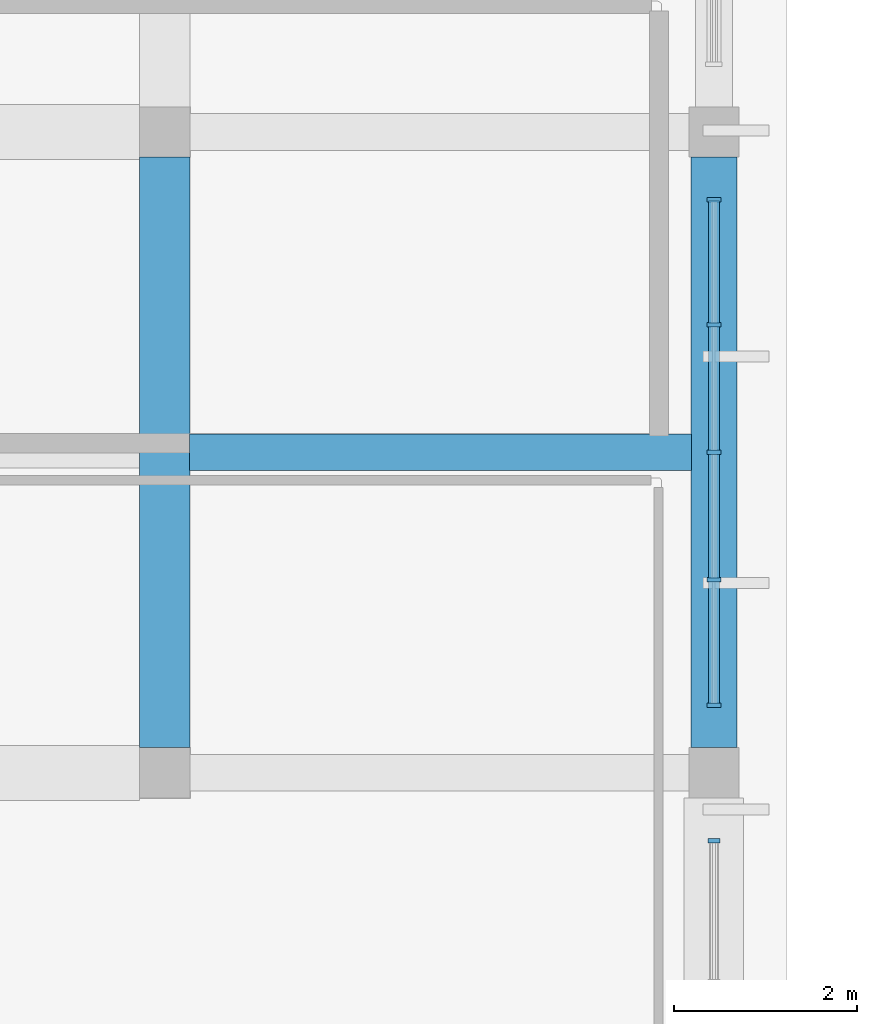
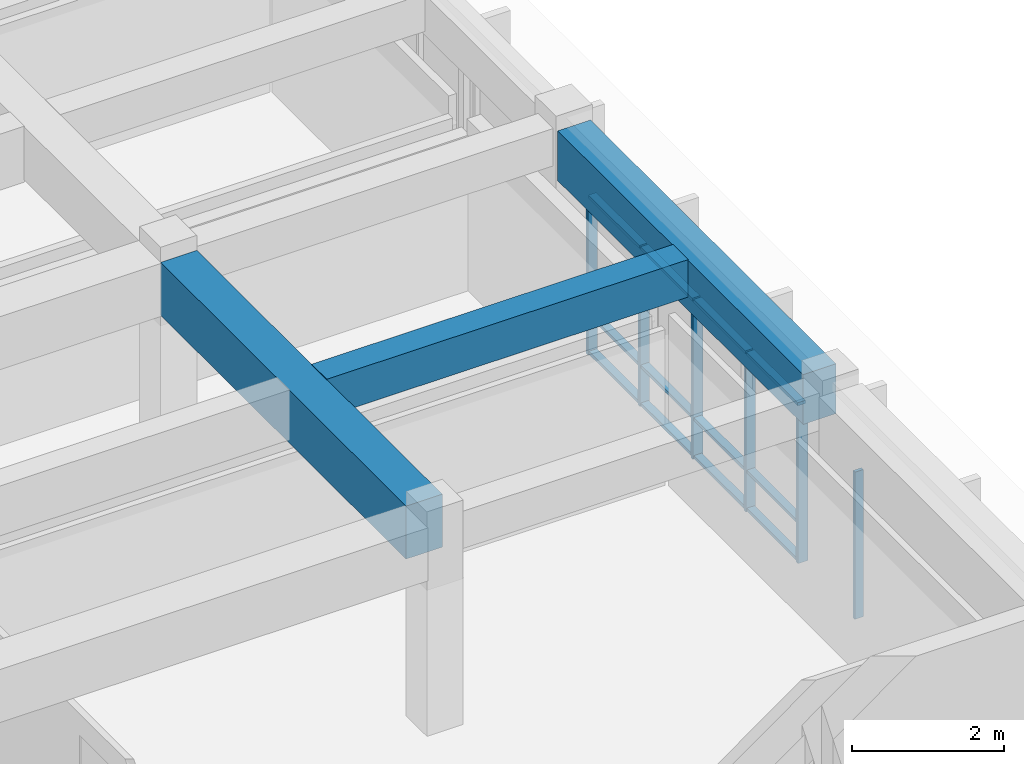
# One storey, part 11 of 23: 18 members, 3 beams, 2 elements without a shape of their own.
"""IFC4 building model written with IfcOpenShell, lengths in metres."""

from ifc_helpers import new_model, si_unit, direction, frame, origin, origin_2d, place, context, subcontext, project, spatial, rectangle, extrude, material, material_profile, profile_set, type_object, element, aggregate, save


model = new_model("IFC4")

# Units and contexts
model_context = context("Model", 3, precision=1e-05, world=origin(), true_north=direction((0.0, 1.0)))
body_context = subcontext(model_context, "Body", "Model", "MODEL_VIEW")
ifc_project = project(units=[si_unit("LENGTHUNIT", "METRE"), si_unit("AREAUNIT", "SQUARE_METRE"), si_unit("VOLUMEUNIT", "CUBIC_METRE"), si_unit("PLANEANGLEUNIT", "RADIAN"), si_unit("MASSUNIT", "GRAM", prefix="KILO")], contexts=[model_context])

# Site, building, storey
site_placement = place(None, origin())
site = spatial("IfcSite", under=ifc_project, at=site_placement, CompositionType="ELEMENT")
building_placement = place(site_placement, origin())
building = spatial("IfcBuilding", under=site, at=building_placement, Name="Larkveld Mobility Hub", CompositionType="ELEMENT")
storey_placement = place(building_placement, frame((0.0, 0.0, 19.199951171875)))
storey = spatial("IfcBuildingStorey", under=building, at=storey_placement, Name="L05", CompositionType="ELEMENT", Elevation=19.199951171875)

# Beams
ifc_material_1 = material(Name="Concrete C40/50", Category="concrete")
ifc_material_profile_1 = material_profile(ifc_material_1, rectangle(XDim=0.39990234375, YDim=0.60009765625, at=origin_2d()), Name="RC BM 400x600")
ifc_profile_set_1 = profile_set([ifc_material_profile_1], Name="Concrete C40/50")
beam_type_1 = type_object("IfcBeamType", Name="BM-RC4060", PredefinedType="BEAM", material=ifc_profile_set_1)
beam_1_placement = place(storey_placement, frame((146.27001953125, 73.5, 3.070068359375), z_axis=(1.0, 0.0, 0.0), x_axis=(0.0, 1.0, 0.0)))
element("IfcBeam", 1, at=beam_1_placement, inside=storey, type_object=beam_type_1, Name="Concourse Spine Joist L05-1156", PredefinedType="BEAM", context=body_context, shape_type="SweptSolid", body=[
    extrude(rectangle(XDim=0.39990234375, YDim=0.60009765625, at=origin_2d()), origin(), (0.0, 0.0, 1.0), 5.48486328125),
])
ifc_material_profile_2 = material_profile(ifc_material_1, rectangle(XDim=0.5, YDim=0.800048828125, at=origin_2d()), Name="RC BM 500x800")
ifc_profile_set_2 = profile_set([ifc_material_profile_2], Name="Concrete C40/50")
beam_type_2 = type_object("IfcBeamType", Name="BM-RC5080", PredefinedType="BEAM", material=ifc_profile_set_2)
beam_2_placement = place(storey_placement, frame((152.0, 70.27490234375, 2.9599609375), z_axis=(0.0, 1.0, 0.0), x_axis=(-1.0, 0.0, 0.0)))
element("IfcBeam", 2, at=beam_2_placement, inside=storey, type_object=beam_type_2, Name="Primary N-S Girder L05-0985", PredefinedType="BEAM", context=body_context, shape_type="SweptSolid", body=[
    extrude(rectangle(XDim=0.5, YDim=0.800048828125, at=origin_2d()), origin(), (0.0, 0.0, 1.0), 6.4501953125),
])
ifc_material_profile_3 = material_profile(ifc_material_1, rectangle(XDim=0.550048828125, YDim=0.85009765625, at=origin_2d()), Name="RC BM 550x850")
ifc_profile_set_3 = profile_set([ifc_material_profile_3], Name="Concrete C40/50")
beam_type_3 = type_object("IfcBeamType", Name="BM-RC5585", PredefinedType="BEAM", material=ifc_profile_set_3)
beam_3_placement = place(storey_placement, frame((146.0, 70.27490234375, 2.93505859375), z_axis=(0.0, 1.0, 0.0), x_axis=(-1.0, 0.0, 0.0)))
element("IfcBeam", 3, at=beam_3_placement, inside=storey, type_object=beam_type_3, Name="Primary N-S Girder L05-0977", PredefinedType="BEAM", context=body_context, shape_type="SweptSolid", body=[
    extrude(rectangle(XDim=0.550048828125, YDim=0.85009765625, at=origin_2d()), origin(), (0.0, 0.0, 1.0), 6.4501953125),
])

# Curtain wall, members
ifc_material_2 = material(Name="Anodised aluminium 6063-T6", Category="aluminium")
curtain_wall_type_1 = type_object("IfcCurtainWallType", Name="CW-SYS-01", PredefinedType="NOTDEFINED", material=ifc_material_2)
curtain_wall_1_placement = place(storey_placement, origin())
curtain_wall_1 = element("IfcCurtainWall", 4, at=curtain_wall_1_placement, inside=storey, type_object=curtain_wall_type_1, Name="Upper Mobility and Sports East Glazing L05 CW-169", PredefinedType="NOTDEFINED")
ifc_material_profile_4 = material_profile(ifc_material_2, rectangle(XDim=0.050048828125, YDim=0.14990234375, at=origin_2d()), Name="ALU MULL 50x150")
ifc_profile_set_4 = profile_set([ifc_material_profile_4], Name="Anodised aluminium 6063-T6")
member_type_1 = type_object("IfcMemberType", Name="CW-MUL-01", PredefinedType="MULLION", material=ifc_profile_set_4)
member_1_placement = place(storey_placement, frame((152.0, 70.739990234375, -0.001953125), z_axis=(0.0, 0.0, 1.0), x_axis=(0.0, 1.0, 0.0)))
member_1 = element("IfcMember", 5, at=member_1_placement, type_object=member_type_1, Name="CW01 mullion 1", PredefinedType="MULLION", context=body_context, shape_type="SweptSolid", body=[
    extrude(rectangle(XDim=0.050048828125, YDim=0.14990234375, at=origin_2d()), origin(), (0.0, 0.0, 1.0), 2.56201171875),
])
member_2_placement = place(storey_placement, frame((152.0, 72.10791015625, -0.001953125), z_axis=(0.0, 0.0, 1.0), x_axis=(0.0, 1.0, 0.0)))
member_2 = element("IfcMember", 6, at=member_2_placement, type_object=member_type_1, Name="CW01 mullion 2", PredefinedType="MULLION", context=body_context, shape_type="SweptSolid", body=[
    extrude(rectangle(XDim=0.050048828125, YDim=0.14990234375, at=origin_2d()), origin(), (0.0, 0.0, 1.0), 2.56201171875),
])
member_3_placement = place(storey_placement, frame((152.0, 73.5, -0.001953125), z_axis=(0.0, 0.0, 1.0), x_axis=(0.0, 1.0, 0.0)))
member_3 = element("IfcMember", 7, at=member_3_placement, type_object=member_type_1, Name="CW01 mullion 3", PredefinedType="MULLION", context=body_context, shape_type="SweptSolid", body=[
    extrude(rectangle(XDim=0.050048828125, YDim=0.14990234375, at=origin_2d()), origin(), (0.0, 0.0, 1.0), 2.56201171875),
])
member_4_placement = place(storey_placement, frame((152.0, 74.89306640625, -0.001953125), z_axis=(0.0, 0.0, 1.0), x_axis=(0.0, 1.0, 0.0)))
member_4 = element("IfcMember", 8, at=member_4_placement, type_object=member_type_1, Name="CW01 mullion 4", PredefinedType="MULLION", context=body_context, shape_type="SweptSolid", body=[
    extrude(rectangle(XDim=0.050048828125, YDim=0.14990234375, at=origin_2d()), origin(), (0.0, 0.0, 1.0), 2.56201171875),
])
member_5_placement = place(storey_placement, frame((152.0, 76.260009765625, -0.001953125), z_axis=(0.0, 0.0, 1.0), x_axis=(0.0, 1.0, 0.0)))
member_5 = element("IfcMember", 9, at=member_5_placement, type_object=member_type_1, Name="CW01 mullion 5", PredefinedType="MULLION", context=body_context, shape_type="SweptSolid", body=[
    extrude(rectangle(XDim=0.050048828125, YDim=0.14990234375, at=origin_2d()), origin(), (0.0, 0.0, 1.0), 2.56201171875),
])

# Curtain wall, member
curtain_wall_type_2 = type_object("IfcCurtainWallType", Name="CW-SYS-12", PredefinedType="NOTDEFINED", material=ifc_material_2)
curtain_wall_2_placement = place(storey_placement, origin())
curtain_wall_2 = element("IfcCurtainWall", 10, at=curtain_wall_2_placement, inside=storey, type_object=curtain_wall_type_2, Name="Upper Mobility and Sports East Glazing L05 CW-168", PredefinedType="NOTDEFINED")
ifc_material_profile_5 = material_profile(ifc_material_2, rectangle(XDim=0.050048828125, YDim=0.1298828125, at=origin_2d()), Name="ALU MULL 50x130")
ifc_profile_set_5 = profile_set([ifc_material_profile_5], Name="Anodised aluminium 6063-T6")
member_type_2 = type_object("IfcMemberType", Name="CW-MUL-04", PredefinedType="MULLION", material=ifc_profile_set_5)
member_6_placement = place(storey_placement, frame((152.0, 69.260009765625, -0.001953125), z_axis=(0.0, 0.0, 1.0), x_axis=(0.0, 1.0, 0.0)))
member_6 = element("IfcMember", 11, at=member_6_placement, type_object=member_type_2, Name="CW12 mullion 4", PredefinedType="MULLION", context=body_context, shape_type="SweptSolid", body=[
    extrude(rectangle(XDim=0.050048828125, YDim=0.1298828125, at=origin_2d()), origin(), (0.0, 0.0, 1.0), 2.362060546875),
])
aggregate(curtain_wall_2, [member_6])

# Member
ifc_material_profile_6 = material_profile(ifc_material_2, rectangle(XDim=0.1201171875, YDim=0.050048828125, at=origin_2d()), Name="ALU TRAN 50x120")
ifc_profile_set_6 = profile_set([ifc_material_profile_6], Name="Anodised aluminium 6063-T6")
member_type_3 = type_object("IfcMemberType", Name="CW-TRN-01", PredefinedType="USERDEFINED", material=ifc_profile_set_6)
member_7_placement = place(storey_placement, frame((152.0, 70.75, 0.030029296875), z_axis=(0.0, 1.0, 0.0), x_axis=(-1.0, 0.0, 0.0)))
member_7 = element("IfcMember", 12, at=member_7_placement, type_object=member_type_3, Name="CW01 transom 1.1", ObjectType="TRANSOM", PredefinedType="USERDEFINED", context=body_context, shape_type="SweptSolid", body=[
    extrude(rectangle(XDim=0.1201171875, YDim=0.050048828125, at=origin_2d()), origin(), (0.0, 0.0, 1.0), 1.343017578125),
])

member_8_placement = place(storey_placement, frame((152.0, 70.75, 0.64013671875), z_axis=(0.0, 1.0, 0.0), x_axis=(-1.0, 0.0, 0.0)))
member_8 = element("IfcMember", 13, at=member_8_placement, type_object=member_type_3, Name="CW01 transom 1.2", ObjectType="TRANSOM", PredefinedType="USERDEFINED", context=body_context, shape_type="SweptSolid", body=[
    extrude(rectangle(XDim=0.1201171875, YDim=0.050048828125, at=origin_2d()), origin(), (0.0, 0.0, 1.0), 1.343017578125),
])

member_9_placement = place(storey_placement, frame((152.0, 70.75, 2.528076171875), z_axis=(0.0, 1.0, 0.0), x_axis=(-1.0, 0.0, 0.0)))
member_9 = element("IfcMember", 14, at=member_9_placement, type_object=member_type_3, Name="CW01 transom 1.3", ObjectType="TRANSOM", PredefinedType="USERDEFINED", context=body_context, shape_type="SweptSolid", body=[
    extrude(rectangle(XDim=0.1201171875, YDim=0.050048828125, at=origin_2d()), origin(), (0.0, 0.0, 1.0), 1.343017578125),
])

member_10_placement = place(storey_placement, frame((152.0, 72.123046875, 0.030029296875), z_axis=(0.0, 1.0, 0.0), x_axis=(-1.0, 0.0, 0.0)))
member_10 = element("IfcMember", 15, at=member_10_placement, type_object=member_type_3, Name="CW01 transom 2.1", ObjectType="TRANSOM", PredefinedType="USERDEFINED", context=body_context, shape_type="SweptSolid", body=[
    extrude(rectangle(XDim=0.1201171875, YDim=0.050048828125, at=origin_2d()), origin(), (0.0, 0.0, 1.0), 1.362060546875),
])

member_11_placement = place(storey_placement, frame((152.0, 72.123046875, 0.64013671875), z_axis=(0.0, 1.0, 0.0), x_axis=(-1.0, 0.0, 0.0)))
member_11 = element("IfcMember", 16, at=member_11_placement, type_object=member_type_3, Name="CW01 transom 2.2", ObjectType="TRANSOM", PredefinedType="USERDEFINED", context=body_context, shape_type="SweptSolid", body=[
    extrude(rectangle(XDim=0.1201171875, YDim=0.050048828125, at=origin_2d()), origin(), (0.0, 0.0, 1.0), 1.362060546875),
])

member_12_placement = place(storey_placement, frame((152.0, 72.123046875, 2.528076171875), z_axis=(0.0, 1.0, 0.0), x_axis=(-1.0, 0.0, 0.0)))
member_12 = element("IfcMember", 17, at=member_12_placement, type_object=member_type_3, Name="CW01 transom 2.3", ObjectType="TRANSOM", PredefinedType="USERDEFINED", context=body_context, shape_type="SweptSolid", body=[
    extrude(rectangle(XDim=0.1201171875, YDim=0.050048828125, at=origin_2d()), origin(), (0.0, 0.0, 1.0), 1.362060546875),
])

member_13_placement = place(storey_placement, frame((152.0, 73.514892578125, 0.030029296875), z_axis=(0.0, 1.0, 0.0), x_axis=(-1.0, 0.0, 0.0)))
member_13 = element("IfcMember", 18, at=member_13_placement, type_object=member_type_3, Name="CW01 transom 3.1", ObjectType="TRANSOM", PredefinedType="USERDEFINED", context=body_context, shape_type="SweptSolid", body=[
    extrude(rectangle(XDim=0.1201171875, YDim=0.050048828125, at=origin_2d()), origin(), (0.0, 0.0, 1.0), 1.363037109375),
])

member_14_placement = place(storey_placement, frame((152.0, 73.514892578125, 0.64013671875), z_axis=(0.0, 1.0, 0.0), x_axis=(-1.0, 0.0, 0.0)))
member_14 = element("IfcMember", 19, at=member_14_placement, type_object=member_type_3, Name="CW01 transom 3.2", ObjectType="TRANSOM", PredefinedType="USERDEFINED", context=body_context, shape_type="SweptSolid", body=[
    extrude(rectangle(XDim=0.1201171875, YDim=0.050048828125, at=origin_2d()), origin(), (0.0, 0.0, 1.0), 1.363037109375),
])

member_15_placement = place(storey_placement, frame((152.0, 73.514892578125, 2.528076171875), z_axis=(0.0, 1.0, 0.0), x_axis=(-1.0, 0.0, 0.0)))
member_15 = element("IfcMember", 20, at=member_15_placement, type_object=member_type_3, Name="CW01 transom 3.3", ObjectType="TRANSOM", PredefinedType="USERDEFINED", context=body_context, shape_type="SweptSolid", body=[
    extrude(rectangle(XDim=0.1201171875, YDim=0.050048828125, at=origin_2d()), origin(), (0.0, 0.0, 1.0), 1.363037109375),
])

member_16_placement = place(storey_placement, frame((152.0, 74.907958984375, 0.030029296875), z_axis=(0.0, 1.0, 0.0), x_axis=(-1.0, 0.0, 0.0)))
member_16 = element("IfcMember", 21, at=member_16_placement, type_object=member_type_3, Name="CW01 transom 4.1", ObjectType="TRANSOM", PredefinedType="USERDEFINED", context=body_context, shape_type="SweptSolid", body=[
    extrude(rectangle(XDim=0.1201171875, YDim=0.050048828125, at=origin_2d()), origin(), (0.0, 0.0, 1.0), 1.342041015625),
])

member_17_placement = place(storey_placement, frame((152.0, 74.907958984375, 0.64013671875), z_axis=(0.0, 1.0, 0.0), x_axis=(-1.0, 0.0, 0.0)))
member_17 = element("IfcMember", 22, at=member_17_placement, type_object=member_type_3, Name="CW01 transom 4.2", ObjectType="TRANSOM", PredefinedType="USERDEFINED", context=body_context, shape_type="SweptSolid", body=[
    extrude(rectangle(XDim=0.1201171875, YDim=0.050048828125, at=origin_2d()), origin(), (0.0, 0.0, 1.0), 1.342041015625),
])

member_18_placement = place(storey_placement, frame((152.0, 74.907958984375, 2.528076171875), z_axis=(0.0, 1.0, 0.0), x_axis=(-1.0, 0.0, 0.0)))
member_18 = element("IfcMember", 23, at=member_18_placement, type_object=member_type_3, Name="CW01 transom 4.3", ObjectType="TRANSOM", PredefinedType="USERDEFINED", context=body_context, shape_type="SweptSolid", body=[
    extrude(rectangle(XDim=0.1201171875, YDim=0.050048828125, at=origin_2d()), origin(), (0.0, 0.0, 1.0), 1.342041015625),
])

aggregate(curtain_wall_1, [member_1, member_2, member_3, member_4, member_5, member_7, member_8, member_9, member_10, member_11, member_12, member_13, member_14, member_15, member_16, member_17, member_18])

save(model, "model.ifc")
